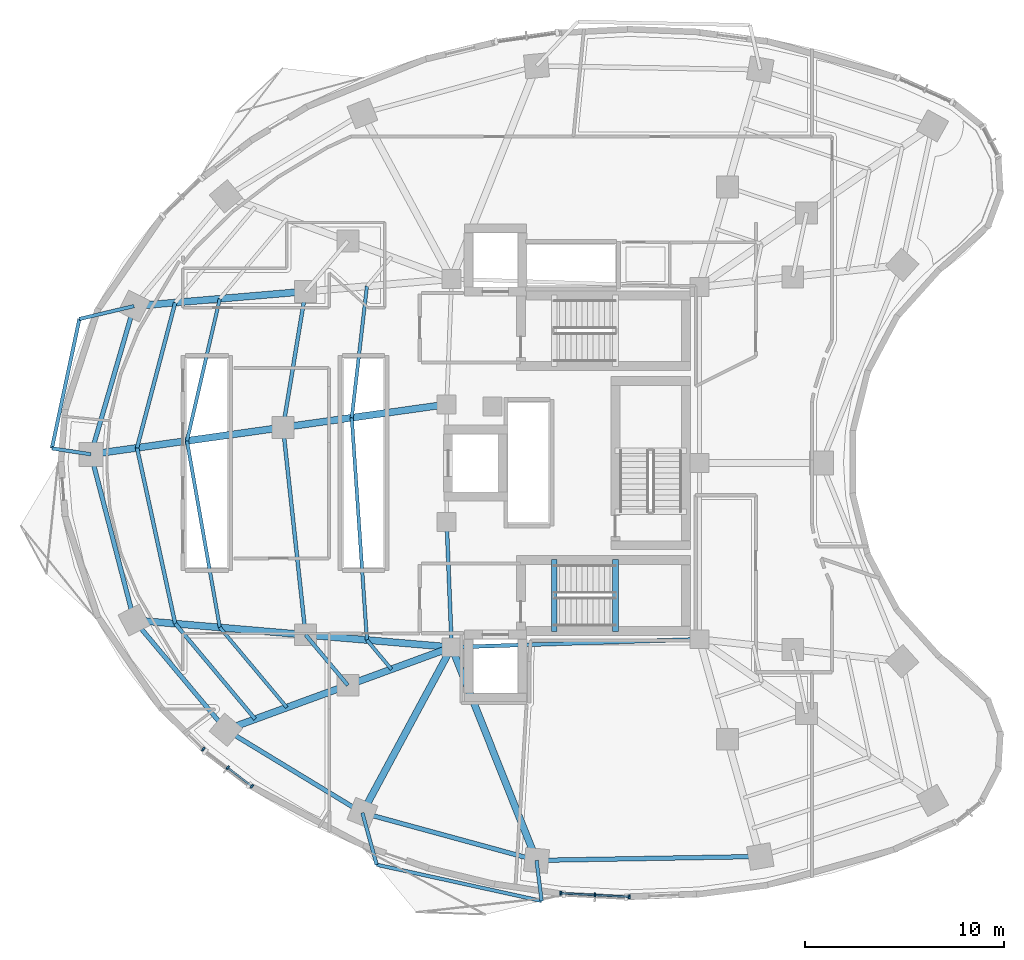
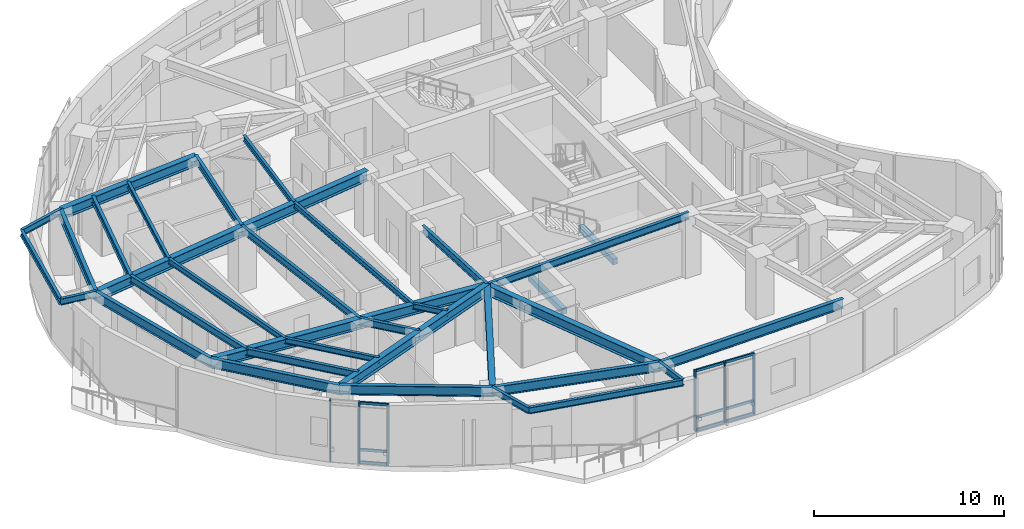
# One storey, part 2 of 13: 37 beams, 15 members, 2 elements without a shape of their own.
"""IFC4 building model written with IfcOpenShell, lengths in metres."""

import ifcopenshell
import ifcopenshell.guid

model = None  # the IFC model being written
_history = None  # IfcOwnerHistory: only IFC2X3 demands one
_inside = {}  # id of a spatial element -> (the spatial element, [elements in it])
_under = {}  # id of a project, library or spatial element -> (it, [spatial elements below it])
_declared = {}  # id of a project -> (the project, [libraries it declares])
_typed = {}  # id of a type object -> (the type object, [elements of that type])
_made_of = {}  # id of a material, layer set ... -> (it, [elements and type objects made of it])


def new_model(schema):
    """Start an empty IFC model of exactly this schema.

    Asked for "IFC4X3", IfcOpenShell would pick the latest addendum, in which some entities
    have other attributes; the version numbers below select the first issue.
    IFC2X3 requires an IfcOwnerHistory on every rooted entity: one is made here for all.
    """
    global model, _history
    if schema == "IFC4X3":
        model = ifcopenshell.file(schema_version=(4, 3, 0, 0))
    else:
        model = ifcopenshell.file(schema=schema)
    _inside.clear()
    _under.clear()
    _declared.clear()
    _typed.clear()
    _made_of.clear()
    _history = None
    if model.schema == "IFC2X3":
        org = make("IfcOrganization", Name="unknown")
        user = make(
            "IfcPersonAndOrganization",
            ThePerson=make("IfcPerson", FamilyName="unknown"),
            TheOrganization=org,
        )
        app = make(
            "IfcApplication",
            ApplicationDeveloper=org,
            Version="unknown",
            ApplicationFullName="unknown",
            ApplicationIdentifier="unknown",
        )
        _history = make(
            "IfcOwnerHistory",
            OwningUser=user,
            OwningApplication=app,
            ChangeAction="ADDED",
            CreationDate=0,
        )
    return model


def make(cls, **values):
    """One entity of the class cls with the attributes given. An attribute that is None is left unset."""
    return model.create_entity(
        cls, **{name: value for name, value in values.items() if value is not None}
    )


def rooted(cls, **values):
    """An entity with a GlobalId (a new one), such as an element, a storey or a relation."""
    return make(cls, GlobalId=ifcopenshell.guid.new(), OwnerHistory=_history, **values)


def si_unit(unit_type, name, prefix=None):
    """IfcSIUnit, for example si_unit("LENGTHUNIT", "METRE", prefix="MILLI")."""
    return make("IfcSIUnit", UnitType=unit_type, Prefix=prefix, Name=name)


def assignment(units):
    """IfcUnitAssignment: the units of a project."""
    return None if units is None else make("IfcUnitAssignment", Units=units)


def point(xyz):
    """IfcCartesianPoint."""
    return None if xyz is None else make("IfcCartesianPoint", Coordinates=xyz)


def direction(xyz):
    """IfcDirection."""
    return None if xyz is None else make("IfcDirection", DirectionRatios=xyz)


def frame(location, z_axis=None, x_axis=None):
    """IfcAxis2Placement3D, a coordinate frame: its origin and axes. An axis left out is left unset."""
    return make(
        "IfcAxis2Placement3D",
        Location=point(location),
        Axis=direction(z_axis),
        RefDirection=direction(x_axis),
    )


def frame_2d(location, x_axis=None):
    """IfcAxis2Placement2D, a coordinate frame in the plane: its origin and x axis."""
    return make(
        "IfcAxis2Placement2D", Location=point(location), RefDirection=direction(x_axis)
    )


def origin():
    """The frame at (0, 0, 0) with its axes left unset."""
    return frame((0.0, 0.0, 0.0))


def origin_2d():
    """The frame at (0, 0) in the plane with its x axis left unset."""
    return frame_2d((0.0, 0.0))


def place(relative_to, where):
    """IfcLocalPlacement: puts the frame where relative to a parent placement (None: the world)."""
    return make(
        "IfcLocalPlacement", PlacementRelTo=relative_to, RelativePlacement=where
    )


def context(
    kind, dimensions, precision=None, world=None, true_north=None, identifier=None
):
    """IfcGeometricRepresentationContext, for example the 3D "Model" context."""
    return make(
        "IfcGeometricRepresentationContext",
        ContextIdentifier=identifier,
        ContextType=kind,
        CoordinateSpaceDimension=dimensions,
        Precision=precision,
        WorldCoordinateSystem=world,
        TrueNorth=true_north,
    )


def subcontext(parent, identifier, kind, view, scale=None):
    """IfcGeometricRepresentationSubContext, for example "Body" below "Model"."""
    return make(
        "IfcGeometricRepresentationSubContext",
        ContextIdentifier=identifier,
        ContextType=kind,
        ParentContext=parent,
        TargetScale=scale,
        TargetView=view,
    )


def project(units=None, contexts=None):
    """IfcProject with its units and contexts."""
    return rooted(
        "IfcProject",
        Name="project",
        RepresentationContexts=contexts,
        UnitsInContext=assignment(units),
    )


def spatial(cls, under=None, at=None, **own):
    """A site, building, storey or space (cls), placed at a placement, below another one or the project."""
    s = rooted(cls, ObjectPlacement=at, **own)
    if under is not None:
        _under.setdefault(under.id(), (under, []))[1].append(s)
    return s


def profile(cls, at=None, kind="AREA", **sizes):
    """A parametric profile (cls). Its sizes go by their IFC names, for example OverallWidth=200.0."""
    return make(cls, ProfileType=kind, Position=at, **sizes)


def rectangle(**sizes):
    """IfcRectangleProfileDef."""
    return profile("IfcRectangleProfileDef", **sizes)


def i_section(**sizes):
    """IfcIShapeProfileDef."""
    return profile("IfcIShapeProfileDef", **sizes)


def extrude(swept, where, along, depth):
    """IfcExtrudedAreaSolid: the profile swept, set in the frame where, extruded along a direction by depth."""
    return make(
        "IfcExtrudedAreaSolid",
        SweptArea=swept,
        Position=where,
        ExtrudedDirection=direction(along),
        Depth=depth,
    )


def shape(context_of_items, identifier, shape_type, items):
    """IfcShapeRepresentation: the items that make up one representation, for example the "Body"."""
    return make(
        "IfcShapeRepresentation",
        ContextOfItems=context_of_items,
        RepresentationIdentifier=identifier,
        RepresentationType=shape_type,
        Items=items,
    )


def material(Name=None, Category=None):
    """IfcMaterial."""
    return make("IfcMaterial", Name=Name, Category=Category)


def layer(
    of_material, thickness, ventilated=None, Name=None, Category=None, Priority=None
):
    """IfcMaterialLayer: one layer of a wall or slab, of a material (None: an air gap)."""
    return make(
        "IfcMaterialLayer",
        Material=of_material,
        LayerThickness=thickness,
        IsVentilated=ventilated,
        Name=Name,
        Category=Category,
        Priority=Priority,
    )


def layer_set(layers, Name=None):
    """IfcMaterialLayerSet."""
    return make("IfcMaterialLayerSet", MaterialLayers=layers, LayerSetName=Name)


def material_profile(
    of_material, cross_section, Name=None, Category=None, Priority=None
):
    """IfcMaterialProfile: a cross section and its material."""
    return make(
        "IfcMaterialProfile",
        Name=Name,
        Material=of_material,
        Profile=cross_section,
        Priority=Priority,
        Category=Category,
    )


def profile_set(profiles, Name=None, composite=None):
    """IfcMaterialProfileSet."""
    return make(
        "IfcMaterialProfileSet",
        Name=Name,
        MaterialProfiles=profiles,
        CompositeProfile=composite,
    )


def made_of(thing, what):
    """Note that an element or type object is made of a material, layer set ...; save() writes the relation."""
    if what is not None:
        _made_of.setdefault(what.id(), (what, []))[1].append(thing)
    return thing


def type_object(cls, material=None, **own):
    """A type object (cls), such as IfcWallType, which elements share."""
    return made_of(rooted(cls, **own), material)


def element(
    cls,
    number,
    at=None,
    inside=None,
    cuts=None,
    type_object=None,
    material=None,
    context=None,
    identifier="Body",
    shape_type=None,
    held_by="IfcProductDefinitionShape",
    body=None,
    shapes=None,
    **own,
):
    """One element of the class cls, such as IfcWall. Its Tag is "e" and its number.

    at: its placement. inside: the storey or other place that contains it. cuts: it is an
    opening in that element (IfcRelVoidsElement). A single representation is given by context,
    identifier, shape_type and body (its items); several are given by shapes. held_by: the class
    of the entity that holds the representations. save() writes the other relations.
    """
    e = rooted(cls, Tag="e%d" % number, ObjectPlacement=at, **own)
    if body is not None:
        shapes = [shape(context, identifier, shape_type, body)]
    if shapes is not None:
        e.Representation = make(held_by, Representations=shapes)
    if inside is not None:
        _inside.setdefault(inside.id(), (inside, []))[1].append(e)
    if cuts is not None:
        rooted(
            "IfcRelVoidsElement", RelatingBuildingElement=cuts, RelatedOpeningElement=e
        )
    if type_object is not None:
        _typed.setdefault(type_object.id(), (type_object, []))[1].append(e)
    return made_of(e, material)


def aggregate(whole, parts):
    """IfcRelAggregates: a whole, such as a stair, and the parts it consists of."""
    return rooted("IfcRelAggregates", RelatingObject=whole, RelatedObjects=parts)


def save(model, path):
    """Write the relations noted so far, then the file.

    IfcRelAggregates (storeys below a building ...), IfcRelContainedInSpatialStructure (elements
    in a storey), IfcRelDefinesByType, IfcRelAssociatesMaterial and IfcRelDeclares: one each for
    every whole, place, type object, material and project.
    """
    for whole, parts in _under.values():
        aggregate(whole, parts)
    for where, things in _inside.values():
        rooted(
            "IfcRelContainedInSpatialStructure",
            RelatedElements=things,
            RelatingStructure=where,
        )
    for kind, things in _typed.values():
        rooted("IfcRelDefinesByType", RelatedObjects=things, RelatingType=kind)
    for what, things in _made_of.values():
        rooted("IfcRelAssociatesMaterial", RelatedObjects=things, RelatingMaterial=what)
    for by, libraries in _declared.values():
        rooted("IfcRelDeclares", RelatingContext=by, RelatedDefinitions=libraries)
    model.write(path)


model = new_model("IFC4")

# Units and contexts
model_context = context("Model", 3, precision=1e-05, world=origin(), true_north=direction((0.0, 1.0)))
body_context = subcontext(model_context, "Body", "Model", "MODEL_VIEW")
ifc_project = project(units=[si_unit("LENGTHUNIT", "METRE"), si_unit("AREAUNIT", "SQUARE_METRE"), si_unit("VOLUMEUNIT", "CUBIC_METRE"), si_unit("PLANEANGLEUNIT", "RADIAN"), si_unit("MASSUNIT", "GRAM", prefix="KILO")], contexts=[model_context])

# Site, building, storey
site_placement = place(None, origin())
site = spatial("IfcSite", under=ifc_project, at=site_placement, CompositionType="ELEMENT")
building_placement = place(site_placement, origin())
building = spatial("IfcBuilding", under=site, at=building_placement, Name="Korentha Bioscience Tower", CompositionType="ELEMENT")
storey_placement = place(building_placement, frame((0.0, 0.0, 140.39990234375)))
storey = spatial("IfcBuildingStorey", under=building, at=storey_placement, Name="L32", CompositionType="ELEMENT", Elevation=140.39990234375)

# Beams
ifc_material_1 = material(Name="Concrete C50", Category="concrete")
ifc_material_profile_1 = material_profile(ifc_material_1, rectangle(XDim=0.280029296875, YDim=0.3798828125, at=origin_2d()), Name="Concrete C50")
ifc_profile_set_1 = profile_set([ifc_material_profile_1], Name="Concrete C50 (ST-HB380)")
beam_type_1 = type_object("IfcBeamType", Name="Concrete Stair Header Beam RC 280x380", PredefinedType="BEAM", material=ifc_profile_set_1)
for number, where, z_axis, x_axis, name in (
    (1, (30.25, 18.550048828125, -0.18994140625), (0.0, 1.0, 0.0), (-1.0, 0.0, 0.0), "L32 ST-2 Concrete Stair Header Beam"),
    (2, (33.330078125, 18.550048828125, 1.91015625), (0.0, 1.0, 0.0), (-1.0, 0.0, 0.0), "L32 ST-2 Half-Landing Header Beam 1"),
):
    element("IfcBeam", number, at=place(storey_placement, frame(where, z_axis=z_axis, x_axis=x_axis)), inside=storey, type_object=beam_type_1, Name=name, PredefinedType="BEAM", context=body_context, shape_type="SweptSolid", body=[
        extrude(rectangle(XDim=0.280029296875, YDim=0.3798828125, at=origin_2d()), origin(), (0.0, 0.0, 1.0), 3.599853515625),
    ])
ifc_material_2 = material(Name="Steel S355", Category="steel")
ifc_material_profile_2 = material_profile(ifc_material_2, i_section(OverallWidth=0.18994140625, OverallDepth=0.45703125, WebThickness=0.009033203125, FlangeThickness=0.014404296875, at=origin_2d()), Name="Steel S355")
ifc_profile_set_2 = profile_set([ifc_material_profile_2], Name="Steel S355 (MB-460)")
beam_type_2 = type_object("IfcBeamType", Name="Mid-Ring Tie Girder W460x74", PredefinedType="BEAM", material=ifc_profile_set_2)
beam_1_placement = place(storey_placement, frame((17.75927734375, 35.6240234375, 3.671630859375), z_axis=(-0.163580878592, -0.986529926641, 0.0), x_axis=(0.986529926641, -0.163580878592, 0.0)))
element("IfcBeam", 3, at=beam_1_placement, inside=storey, type_object=beam_type_2, Name="L32 Mid-Ring Tie Girder 06", PredefinedType="BEAM", context=body_context, shape_type="SweptSolid", body=[
    extrude(i_section(OverallWidth=0.18994140625, OverallDepth=0.45703125, WebThickness=0.009033203125, FlangeThickness=0.014404296875, at=origin_2d()), origin(), (0.0, 0.0, 1.0), 6.920654296875),
])
beam_2_placement = place(storey_placement, frame((16.627197265625, 28.796630859375, 3.671630859375), z_axis=(0.108002632645, -0.994150607977, 0.0), x_axis=(0.994150607977, 0.108002632645, 0.0)))
element("IfcBeam", 4, at=beam_2_placement, inside=storey, type_object=beam_type_2, Name="L32 Mid-Ring Tie Girder 07", PredefinedType="BEAM", context=body_context, shape_type="SweptSolid", body=[
    extrude(i_section(OverallWidth=0.18994140625, OverallDepth=0.45703125, WebThickness=0.009033203125, FlangeThickness=0.014404296875, at=origin_2d()), origin(), (0.0, 0.0, 1.0), 10.48193359375),
])
beam_3_placement = place(storey_placement, frame((17.75927734375, 18.3759765625, 3.671630859375), z_axis=(0.642121371708, -0.766602989817, 0.0), x_axis=(0.766602989817, 0.642121371708, 0.0)))
element("IfcBeam", 5, at=beam_3_placement, inside=storey, type_object=beam_type_2, Name="L32 Mid-Ring Tie Girder 08", PredefinedType="BEAM", context=body_context, shape_type="SweptSolid", body=[
    extrude(i_section(OverallWidth=0.18994140625, OverallDepth=0.45703125, WebThickness=0.009033203125, FlangeThickness=0.014404296875, at=origin_2d()), origin(), (0.0, 0.0, 1.0), 3.306640625),
])
beam_4_placement = place(storey_placement, frame((24.85009765625, 24.050048828125, 3.671630859375), z_axis=(0.039651025576, -0.999213588864, 0.0), x_axis=(0.999213588864, 0.039651025576, 0.0)))
element("IfcBeam", 6, at=beam_4_placement, inside=storey, type_object=beam_type_2, Name="L32 Core Ring Tie Girder 04", PredefinedType="BEAM", context=body_context, shape_type="SweptSolid", body=[
    extrude(i_section(OverallWidth=0.18994140625, OverallDepth=0.45703125, WebThickness=0.009033203125, FlangeThickness=0.014404296875, at=origin_2d()), origin(), (0.0, 0.0, 1.0), 6.304931640625),
])
beam_5_placement = place(storey_placement, frame((25.10009765625, 17.75, 3.671630859375), z_axis=(0.999484526071, 0.032104238723, 0.0), x_axis=(-0.032104238723, 0.999484526071, 0.0)))
element("IfcBeam", 7, at=beam_5_placement, inside=storey, type_object=beam_type_2, Name="L32 Core Ring Tie Girder 05", PredefinedType="BEAM", context=body_context, shape_type="SweptSolid", body=[
    extrude(i_section(OverallWidth=0.18994140625, OverallDepth=0.45703125, WebThickness=0.009033203125, FlangeThickness=0.014404296875, at=origin_2d()), origin(), (0.0, 0.0, 1.0), 12.456298828125),
])

# Curtain wall, members
ifc_material_3 = material(Name="Thermally Broken Aluminium Frame", Category="aluminium")
ifc_layer = layer(ifc_material_3, 0.219970703125, Name="Thermally Broken Aluminium Frame")
ifc_layer_set = layer_set([ifc_layer], Name="Thermally Broken Aluminium Frame (CW-T2)")
curtain_wall_type = type_object("IfcCurtainWallType", Name="Solar-Screened Lab Unitised Curtain Wall CW-T2", PredefinedType="USERDEFINED", material=ifc_layer_set)
curtain_wall_1_placement = place(storey_placement, origin())
curtain_wall_1 = element("IfcCurtainWall", 8, at=curtain_wall_1_placement, inside=storey, type_object=curtain_wall_type, Name="L32 Curtain Wall 25", ObjectType="UNITISED", PredefinedType="USERDEFINED")
ifc_material_4 = material(Name="Anodised Aluminium 6063-T6", Category="aluminium")
ifc_material_profile_3 = material_profile(ifc_material_4, rectangle(XDim=0.090087890625, YDim=0.199951171875, at=origin_2d()), Name="Anodised Aluminium 6063-T6")
ifc_profile_set_3 = profile_set([ifc_material_profile_3], Name="Anodised Aluminium 6063-T6 (CW-MUL)")
member_type_1 = type_object("IfcMemberType", Name="Mullion RECT 90x200", PredefinedType="MULLION", material=ifc_profile_set_3)
member_1_placement = place(storey_placement, frame((12.624267578125, 12.62890625, 0.0), z_axis=(0.0, 0.0, 1.0), x_axis=(0.794499603893, -0.607264669986, 0.0)))
member_1 = element("IfcMember", 9, at=member_1_placement, type_object=member_type_1, Name="CW-L32-25 Mullion 1", PredefinedType="MULLION", context=body_context, shape_type="SweptSolid", body=[
    extrude(rectangle(XDim=0.090087890625, YDim=0.199951171875, at=origin_2d()), origin(), (0.0, 0.0, 1.0), 3.900146484375),
])
member_2_placement = place(storey_placement, frame((13.844970703125, 11.69580078125, 0.0), z_axis=(0.0, 0.0, 1.0), x_axis=(0.794499603893, -0.607264669986, 0.0)))
member_2 = element("IfcMember", 10, at=member_2_placement, type_object=member_type_1, Name="CW-L32-25 Mullion 2", PredefinedType="MULLION", context=body_context, shape_type="SweptSolid", body=[
    extrude(rectangle(XDim=0.090087890625, YDim=0.199951171875, at=origin_2d()), origin(), (0.0, 0.0, 1.0), 3.900146484375),
])
member_3_placement = place(storey_placement, frame((15.0654296875, 10.7626953125, 0.0), z_axis=(0.0, 0.0, 1.0), x_axis=(0.794499603893, -0.607264669986, 0.0)))
member_3 = element("IfcMember", 11, at=member_3_placement, type_object=member_type_1, Name="CW-L32-25 Mullion 3", PredefinedType="MULLION", context=body_context, shape_type="SweptSolid", body=[
    extrude(rectangle(XDim=0.090087890625, YDim=0.199951171875, at=origin_2d()), origin(), (0.0, 0.0, 1.0), 3.900146484375),
])

curtain_wall_2_placement = place(storey_placement, origin())
curtain_wall_2 = element("IfcCurtainWall", 12, at=curtain_wall_2_placement, inside=storey, type_object=curtain_wall_type, Name="L32 Curtain Wall 31", ObjectType="UNITISED", PredefinedType="USERDEFINED")
member_4_placement = place(storey_placement, frame((30.571533203125, 5.39111328125, 0.0), z_axis=(0.0, 0.0, 1.0), x_axis=(0.998673231344, -0.051495407527, 0.0)))
member_4 = element("IfcMember", 13, at=member_4_placement, type_object=member_type_1, Name="CW-L32-31 Mullion 1", PredefinedType="MULLION", context=body_context, shape_type="SweptSolid", body=[
    extrude(rectangle(XDim=0.090087890625, YDim=0.199951171875, at=origin_2d()), origin(), (0.0, 0.0, 1.0), 3.900146484375),
])
member_5_placement = place(storey_placement, frame((32.301025390625, 5.302001953125, 0.0), z_axis=(0.0, 0.0, 1.0), x_axis=(0.998673231344, -0.051495407527, 0.0)))
member_5 = element("IfcMember", 14, at=member_5_placement, type_object=member_type_1, Name="CW-L32-31 Mullion 2", PredefinedType="MULLION", context=body_context, shape_type="SweptSolid", body=[
    extrude(rectangle(XDim=0.090087890625, YDim=0.199951171875, at=origin_2d()), origin(), (0.0, 0.0, 1.0), 3.900146484375),
])
member_6_placement = place(storey_placement, frame((34.03076171875, 5.212646484375, 0.0), z_axis=(0.0, 0.0, 1.0), x_axis=(0.998673231344, -0.051495407527, 0.0)))
member_6 = element("IfcMember", 15, at=member_6_placement, type_object=member_type_1, Name="CW-L32-31 Mullion 3", PredefinedType="MULLION", context=body_context, shape_type="SweptSolid", body=[
    extrude(rectangle(XDim=0.090087890625, YDim=0.199951171875, at=origin_2d()), origin(), (0.0, 0.0, 1.0), 3.900146484375),
])

# Beams
ifc_material_profile_4 = material_profile(ifc_material_2, i_section(OverallWidth=0.22802734375, OverallDepth=0.60791015625, WebThickness=0.01123046875, FlangeThickness=0.017333984375, at=origin_2d()), Name="Steel S355")
ifc_profile_set_4 = profile_set([ifc_material_profile_4], Name="Steel S355 (SB-610)")
beam_type_3 = type_object("IfcBeamType", Name="Perimeter Ring Spandrel Girder W610x113", PredefinedType="SPANDREL", material=ifc_profile_set_4)
beam_6_placement = place(storey_placement, frame((9.141845703125, 34.889404296875, 3.59619140625), z_axis=(-0.279486251653, -0.960149694129, 0.0), x_axis=(0.960149694129, -0.279486251653, 0.0)))
element("IfcBeam", 16, at=beam_6_placement, inside=storey, type_object=beam_type_3, Name="L32 Perimeter Spandrel Girder 06", PredefinedType="SPANDREL", context=body_context, shape_type="SweptSolid", body=[
    extrude(i_section(OverallWidth=0.22802734375, OverallDepth=0.60791015625, WebThickness=0.01123046875, FlangeThickness=0.017333984375, at=origin_2d()), origin(), (0.0, 0.0, 1.0), 7.756103515625),
])
beam_7_placement = place(storey_placement, frame((6.97412109375, 27.4423828125, 3.59619140625), z_axis=(0.251792692694, -0.96778119423, 0.0), x_axis=(0.96778119423, 0.251792692694, 0.0)))
element("IfcBeam", 17, at=beam_7_placement, inside=storey, type_object=beam_type_3, Name="L32 Perimeter Spandrel Girder 07", PredefinedType="SPANDREL", context=body_context, shape_type="SweptSolid", body=[
    extrude(i_section(OverallWidth=0.22802734375, OverallDepth=0.60791015625, WebThickness=0.01123046875, FlangeThickness=0.017333984375, at=origin_2d()), origin(), (0.0, 0.0, 1.0), 8.609130859375),
])
beam_8_placement = place(storey_placement, frame((9.141845703125, 19.110595703125, 3.59619140625), z_axis=(0.642126556076, -0.76659864726, 0.0), x_axis=(0.76659864726, 0.642126556076, 0.0)))
element("IfcBeam", 18, at=beam_8_placement, inside=storey, type_object=beam_type_3, Name="L32 Perimeter Spandrel Girder 08", PredefinedType="SPANDREL", context=body_context, shape_type="SweptSolid", body=[
    extrude(i_section(OverallWidth=0.22802734375, OverallDepth=0.60791015625, WebThickness=0.01123046875, FlangeThickness=0.017333984375, at=origin_2d()), origin(), (0.0, 0.0, 1.0), 7.1884765625),
])
beam_9_placement = place(storey_placement, frame((13.7578125, 13.599853515625, 3.59619140625), z_axis=(0.854461040474, -0.51951547649, 0.0), x_axis=(0.51951547649, 0.854461040474, 0.0)))
element("IfcBeam", 19, at=beam_9_placement, inside=storey, type_object=beam_type_3, Name="L32 Perimeter Spandrel Girder 09", PredefinedType="SPANDREL", context=body_context, shape_type="SweptSolid", body=[
    extrude(i_section(OverallWidth=0.22802734375, OverallDepth=0.60791015625, WebThickness=0.01123046875, FlangeThickness=0.017333984375, at=origin_2d()), origin(), (0.0, 0.0, 1.0), 8.025146484375),
])
beam_10_placement = place(storey_placement, frame((20.614990234375, 9.4306640625, 3.59619140625), z_axis=(0.964659386444, -0.263500034431, 0.0), x_axis=(0.263500034431, 0.964659386444, 0.0)))
element("IfcBeam", 20, at=beam_10_placement, inside=storey, type_object=beam_type_3, Name="L32 Perimeter Spandrel Girder 10", PredefinedType="SPANDREL", context=body_context, shape_type="SweptSolid", body=[
    extrude(i_section(OverallWidth=0.22802734375, OverallDepth=0.60791015625, WebThickness=0.01123046875, FlangeThickness=0.017333984375, at=origin_2d()), origin(), (0.0, 0.0, 1.0), 9.06982421875),
])
beam_11_placement = place(storey_placement, frame((29.3642578125, 7.040771484375, 3.59619140625), z_axis=(0.999850566826, 0.017287105523, 0.0), x_axis=(-0.017287105523, 0.999850566826, 0.0)))
element("IfcBeam", 21, at=beam_11_placement, inside=storey, type_object=beam_type_3, Name="L32 Perimeter Spandrel Girder 11", PredefinedType="SPANDREL", context=body_context, shape_type="SweptSolid", body=[
    extrude(i_section(OverallWidth=0.22802734375, OverallDepth=0.60791015625, WebThickness=0.01123046875, FlangeThickness=0.017333984375, at=origin_2d()), origin(), (0.0, 0.0, 1.0), 11.24169921875),
])
ifc_material_profile_5 = material_profile(ifc_material_2, i_section(OverallWidth=0.18994140625, OverallDepth=0.45703125, WebThickness=0.009033203125, FlangeThickness=0.014404296875, at=origin_2d()), Name="Steel S355")
ifc_profile_set_5 = profile_set([ifc_material_profile_5], Name="Steel S355 (RB-460)")
beam_type_4 = type_object("IfcBeamType", Name="Radial Laboratory Beam W460x74", PredefinedType="BEAM", material=ifc_profile_set_5)
beam_12_placement = place(storey_placement, frame((11.2099609375, 35.065673828125, 3.671630859375), z_axis=(-0.254294231014, -0.967126901742, 0.0), x_axis=(0.967126901742, -0.254294231014, 0.0)))
element("IfcBeam", 22, at=beam_12_placement, inside=storey, type_object=beam_type_4, Name="L32 Secondary Floor Beam JSTO-06", PredefinedType="BEAM", context=body_context, shape_type="SweptSolid", body=[
    extrude(i_section(OverallWidth=0.18994140625, OverallDepth=0.45703125, WebThickness=0.009033203125, FlangeThickness=0.014404296875, at=origin_2d()), origin(), (0.0, 0.0, 1.0), 7.546142578125),
])
beam_13_placement = place(storey_placement, frame((9.291015625, 27.767578125, 3.671630859375), z_axis=(0.212289478944, -0.977206824132, 0.0), x_axis=(0.977206824132, 0.212289478944, 0.0)))
element("IfcBeam", 23, at=beam_13_placement, inside=storey, type_object=beam_type_4, Name="L32 Secondary Floor Beam JSTO-07", PredefinedType="BEAM", context=body_context, shape_type="SweptSolid", body=[
    extrude(i_section(OverallWidth=0.18994140625, OverallDepth=0.45703125, WebThickness=0.009033203125, FlangeThickness=0.014404296875, at=origin_2d()), origin(), (0.0, 0.0, 1.0), 9.039306640625),
])
beam_14_placement = place(storey_placement, frame((11.2099609375, 18.934326171875, 3.671630859375), z_axis=(0.642128156066, -0.766597307057, 0.0), x_axis=(0.766597307057, 0.642128156066, 0.0)))
element("IfcBeam", 24, at=beam_14_placement, inside=storey, type_object=beam_type_4, Name="L32 Secondary Floor Beam JSTO-08", PredefinedType="BEAM", context=body_context, shape_type="SweptSolid", body=[
    extrude(i_section(OverallWidth=0.18994140625, OverallDepth=0.45703125, WebThickness=0.009033203125, FlangeThickness=0.014404296875, at=origin_2d()), origin(), (0.0, 0.0, 1.0), 6.257080078125),
])
ifc_material_profile_6 = material_profile(ifc_material_2, i_section(OverallWidth=0.35009765625, OverallDepth=0.64990234375, WebThickness=0.01611328125, FlangeThickness=0.02490234375, at=origin_2d()), Name="Steel S355")
ifc_profile_set_6 = profile_set([ifc_material_profile_6], Name="Steel S355 (RB-650)")
beam_type_5 = type_object("IfcBeamType", Name="Radial Laboratory Girder CVS 650x208", PredefinedType="BEAM", material=ifc_profile_set_6)
beam_15_placement = place(storey_placement, frame((17.75927734375, 35.6240234375, 3.5751953125), z_axis=(-0.996386071548, -0.084939957767, 0.0), x_axis=(0.084939957767, -0.996386071548, 0.0)))
element("IfcBeam", 25, at=beam_15_placement, inside=storey, type_object=beam_type_5, Name="L32 Outer Radial Girder 06", PredefinedType="BEAM", context=body_context, shape_type="SweptSolid", body=[
    extrude(i_section(OverallWidth=0.35009765625, OverallDepth=0.64990234375, WebThickness=0.01611328125, FlangeThickness=0.02490234375, at=origin_2d()), origin(), (0.0, 0.0, 1.0), 8.648681640625),
])
beam_16_placement = place(storey_placement, frame((24.85009765625, 29.949951171875, 3.5751953125), z_axis=(-0.990306752817, -0.13889757134, 0.0), x_axis=(0.13889757134, -0.990306752817, 0.0)))
element("IfcBeam", 26, at=beam_16_placement, inside=storey, type_object=beam_type_5, Name="L32 Inner Radial Girder 07", PredefinedType="BEAM", context=body_context, shape_type="SweptSolid", body=[
    extrude(i_section(OverallWidth=0.35009765625, OverallDepth=0.64990234375, WebThickness=0.01611328125, FlangeThickness=0.02490234375, at=origin_2d()), origin(), (0.0, 0.0, 1.0), 8.303466796875),
])
beam_17_placement = place(storey_placement, frame((16.627197265625, 28.796630859375, 3.5751953125), z_axis=(-0.99030201931, -0.138931315944, 0.0), x_axis=(0.138931315944, -0.99030201931, 0.0)))
element("IfcBeam", 27, at=beam_17_placement, inside=storey, type_object=beam_type_5, Name="L32 Outer Radial Girder 07", PredefinedType="BEAM", context=body_context, shape_type="SweptSolid", body=[
    extrude(i_section(OverallWidth=0.35009765625, OverallDepth=0.64990234375, WebThickness=0.01611328125, FlangeThickness=0.02490234375, at=origin_2d()), origin(), (0.0, 0.0, 1.0), 9.74755859375),
])
beam_18_placement = place(storey_placement, frame((25.10009765625, 17.75, 3.5751953125), z_axis=(-0.996383934197, 0.084965026183, 0.0), x_axis=(-0.084965026183, -0.996383934197, 0.0)))
element("IfcBeam", 28, at=beam_18_placement, inside=storey, type_object=beam_type_5, Name="L32 Inner Radial Girder 08", PredefinedType="BEAM", context=body_context, shape_type="SweptSolid", body=[
    extrude(i_section(OverallWidth=0.35009765625, OverallDepth=0.64990234375, WebThickness=0.01611328125, FlangeThickness=0.02490234375, at=origin_2d()), origin(), (0.0, 0.0, 1.0), 7.367431640625),
])
beam_19_placement = place(storey_placement, frame((17.75927734375, 18.3759765625, 3.5751953125), z_axis=(-0.996386071548, 0.084939957767, 0.0), x_axis=(-0.084939957767, -0.996386071548, 0.0)))
element("IfcBeam", 29, at=beam_19_placement, inside=storey, type_object=beam_type_5, Name="L32 Outer Radial Girder 08", PredefinedType="BEAM", context=body_context, shape_type="SweptSolid", body=[
    extrude(i_section(OverallWidth=0.35009765625, OverallDepth=0.64990234375, WebThickness=0.01611328125, FlangeThickness=0.02490234375, at=origin_2d()), origin(), (0.0, 0.0, 1.0), 8.648681640625),
])
beam_20_placement = place(storey_placement, frame((25.10009765625, 17.75, 3.5751953125), z_axis=(-0.939118010396, -0.343594765022, 0.0), x_axis=(0.343594765022, -0.939118010396, 0.0)))
element("IfcBeam", 30, at=beam_20_placement, inside=storey, type_object=beam_type_5, Name="L32 Inner Radial Girder 09", PredefinedType="BEAM", context=body_context, shape_type="SweptSolid", body=[
    extrude(i_section(OverallWidth=0.35009765625, OverallDepth=0.64990234375, WebThickness=0.01611328125, FlangeThickness=0.02490234375, at=origin_2d()), origin(), (0.0, 0.0, 1.0), 5.5556640625),
])
beam_21_placement = place(storey_placement, frame((19.882568359375, 15.841064453125, 3.5751953125), z_axis=(-0.939100755225, -0.343641923425, 0.0), x_axis=(0.343641923425, -0.939100755225, 0.0)))
element("IfcBeam", 31, at=beam_21_placement, inside=storey, type_object=beam_type_5, Name="L32 Outer Radial Girder 09", PredefinedType="BEAM", context=body_context, shape_type="SweptSolid", body=[
    extrude(i_section(OverallWidth=0.35009765625, OverallDepth=0.64990234375, WebThickness=0.01611328125, FlangeThickness=0.02490234375, at=origin_2d()), origin(), (0.0, 0.0, 1.0), 6.52197265625),
])
beam_22_placement = place(storey_placement, frame((25.10009765625, 17.75, 3.5751953125), z_axis=(-0.474548018732, -0.880229616587, 0.0), x_axis=(0.880229616587, -0.474548018732, 0.0)))
element("IfcBeam", 32, at=beam_22_placement, inside=storey, type_object=beam_type_5, Name="L32 Radial Girder 10", PredefinedType="BEAM", context=body_context, shape_type="SweptSolid", body=[
    extrude(i_section(OverallWidth=0.35009765625, OverallDepth=0.64990234375, WebThickness=0.01611328125, FlangeThickness=0.02490234375, at=origin_2d()), origin(), (0.0, 0.0, 1.0), 9.451416015625),
])
beam_23_placement = place(storey_placement, frame((25.10009765625, 17.75, 3.5751953125), z_axis=(0.369929528493, -0.929059817207, 0.0), x_axis=(0.929059817207, 0.369929528493, 0.0)))
element("IfcBeam", 33, at=beam_23_placement, inside=storey, type_object=beam_type_5, Name="L32 Radial Girder 11", PredefinedType="BEAM", context=body_context, shape_type="SweptSolid", body=[
    extrude(i_section(OverallWidth=0.35009765625, OverallDepth=0.64990234375, WebThickness=0.01611328125, FlangeThickness=0.02490234375, at=origin_2d()), origin(), (0.0, 0.0, 1.0), 11.52685546875),
])
ifc_material_profile_7 = material_profile(ifc_material_2, i_section(OverallWidth=0.1708984375, OverallDepth=0.35498046875, WebThickness=0.007080078125, FlangeThickness=0.01171875, at=origin_2d()), Name="Steel S355")
ifc_profile_set_7 = profile_set([ifc_material_profile_7], Name="Steel S355 (JB-360)")
beam_type_6 = type_object("IfcBeamType", Name="Secondary Laboratory Joist W360x51", PredefinedType="JOIST", material=ifc_profile_set_7)
beam_24_placement = place(storey_placement, frame((13.450439453125, 35.256591796875, 3.72265625), z_axis=(-0.225236780605, -0.974304055551, 0.0), x_axis=(0.974304055551, -0.225236780605, 0.0)))
element("IfcBeam", 34, at=beam_24_placement, inside=storey, type_object=beam_type_6, Name="L32 Secondary Floor Beam JST-06", PredefinedType="JOIST", context=body_context, shape_type="SweptSolid", body=[
    extrude(i_section(OverallWidth=0.1708984375, OverallDepth=0.35498046875, WebThickness=0.007080078125, FlangeThickness=0.01171875, at=origin_2d()), origin(), (0.0, 0.0, 1.0), 7.3251953125),
])
beam_25_placement = place(storey_placement, frame((20.84228515625, 35.886962890625, 3.72265625), z_axis=(-0.114512623722, -0.993421793101, 0.0), x_axis=(0.993421793101, -0.114512623722, 0.0)))
element("IfcBeam", 35, at=beam_25_placement, inside=storey, type_object=beam_type_6, Name="L32 Inner Bay Joist 06", PredefinedType="JOIST", context=body_context, shape_type="SweptSolid", body=[
    extrude(i_section(OverallWidth=0.1708984375, OverallDepth=0.35498046875, WebThickness=0.007080078125, FlangeThickness=0.01171875, at=origin_2d()), origin(), (0.0, 0.0, 1.0), 6.649658203125),
])
beam_26_placement = place(storey_placement, frame((11.800537109375, 28.11962890625, 3.72265625), z_axis=(0.173304009699, -0.984868377105, 0.0), x_axis=(0.984868377105, 0.173304009699, 0.0)))
element("IfcBeam", 36, at=beam_26_placement, inside=storey, type_object=beam_type_6, Name="L32 Secondary Floor Beam JST-07", PredefinedType="JOIST", context=body_context, shape_type="SweptSolid", body=[
    extrude(i_section(OverallWidth=0.1708984375, OverallDepth=0.35498046875, WebThickness=0.007080078125, FlangeThickness=0.01171875, at=origin_2d()), origin(), (0.0, 0.0, 1.0), 9.520263671875),
])
beam_27_placement = place(storey_placement, frame((20.080810546875, 29.281005859375, 3.72265625), z_axis=(0.068025861704, -0.997683558118, 0.0), x_axis=(0.997683558118, 0.068025861704, 0.0)))
element("IfcBeam", 37, at=beam_27_placement, inside=storey, type_object=beam_type_6, Name="L32 Inner Bay Joist 07", PredefinedType="JOIST", context=body_context, shape_type="SweptSolid", body=[
    extrude(i_section(OverallWidth=0.1708984375, OverallDepth=0.35498046875, WebThickness=0.007080078125, FlangeThickness=0.01171875, at=origin_2d()), origin(), (0.0, 0.0, 1.0), 11.19384765625),
])
beam_28_placement = place(storey_placement, frame((13.450439453125, 18.743408203125, 3.72265625), z_axis=(0.642140812018, -0.76658670582, 0.0), x_axis=(0.76658670582, 0.642140812018, 0.0)))
element("IfcBeam", 38, at=beam_28_placement, inside=storey, type_object=beam_type_6, Name="L32 Secondary Floor Beam JST-08", PredefinedType="JOIST", context=body_context, shape_type="SweptSolid", body=[
    extrude(i_section(OverallWidth=0.1708984375, OverallDepth=0.35498046875, WebThickness=0.007080078125, FlangeThickness=0.01171875, at=origin_2d()), origin(), (0.0, 0.0, 1.0), 5.247802734375),
])
beam_29_placement = place(storey_placement, frame((20.84228515625, 18.113037109375, 3.72265625), z_axis=(0.64218549873, -0.766549271229, 0.0), x_axis=(0.766549271229, 0.64218549873, 0.0)))
element("IfcBeam", 39, at=beam_29_placement, inside=storey, type_object=beam_type_6, Name="L32 Inner Bay Joist 08", PredefinedType="JOIST", context=body_context, shape_type="SweptSolid", body=[
    extrude(i_section(OverallWidth=0.1708984375, OverallDepth=0.35498046875, WebThickness=0.007080078125, FlangeThickness=0.01171875, at=origin_2d()), origin(), (0.0, 0.0, 1.0), 1.91796875),
])
ifc_material_profile_8 = material_profile(ifc_material_2, i_section(OverallWidth=0.177978515625, OverallDepth=0.406982421875, WebThickness=0.0078125, FlangeThickness=0.0126953125, at=origin_2d()), Name="Steel S355")
ifc_profile_set_8 = profile_set([ifc_material_profile_8], Name="Steel S355 (CB-410)")
beam_type_7 = type_object("IfcBeamType", Name="Sun-Ledge Cantilever Beam W410x60", PredefinedType="BEAM", material=ifc_profile_set_8)
beam_30_placement = place(storey_placement, frame((9.141845703125, 34.889404296875, 3.698486328125), z_axis=(-0.973303545012, -0.229521696725, 0.0), x_axis=(0.229521696725, -0.973303545012, 0.0)))
element("IfcBeam", 40, at=beam_30_placement, inside=storey, type_object=beam_type_7, Name="L32 Balcony Cantilever Bracket A-L33-02", PredefinedType="BEAM", context=body_context, shape_type="SweptSolid", body=[
    extrude(i_section(OverallWidth=0.177978515625, OverallDepth=0.406982421875, WebThickness=0.0078125, FlangeThickness=0.0126953125, at=origin_2d()), origin(), (0.0, 0.0, 1.0), 2.82080078125),
])
beam_31_placement = place(storey_placement, frame((6.97412109375, 27.4423828125, 3.698486328125), z_axis=(-0.988449844693, 0.151548357058, 0.0), x_axis=(-0.151548357058, -0.988449844693, 0.0)))
element("IfcBeam", 41, at=beam_31_placement, inside=storey, type_object=beam_type_7, Name="L32 Balcony Cantilever Bracket B-L33-02", PredefinedType="BEAM", context=body_context, shape_type="SweptSolid", body=[
    extrude(i_section(OverallWidth=0.177978515625, OverallDepth=0.406982421875, WebThickness=0.0078125, FlangeThickness=0.0126953125, at=origin_2d()), origin(), (0.0, 0.0, 1.0), 1.983154296875),
])
beam_32_placement = place(storey_placement, frame((6.396240234375, 34.241943359375, 3.698486328125), z_axis=(-0.208043322496, -0.978119612299, 0.0), x_axis=(0.978119612299, -0.208043322496, 0.0)))
element("IfcBeam", 42, at=beam_32_placement, inside=storey, type_object=beam_type_7, Name="L32 Balcony Edge Trimmer Beam L33-02", PredefinedType="BEAM", context=body_context, shape_type="SweptSolid", body=[
    extrude(i_section(OverallWidth=0.177978515625, OverallDepth=0.406982421875, WebThickness=0.0078125, FlangeThickness=0.0126953125, at=origin_2d()), origin(), (0.0, 0.0, 1.0), 6.644287109375),
])
beam_33_placement = place(storey_placement, frame((20.614990234375, 9.4306640625, 3.698486328125), z_axis=(0.26487511254, -0.964282725531, 0.0), x_axis=(0.964282725531, 0.26487511254, 0.0)))
element("IfcBeam", 43, at=beam_33_placement, inside=storey, type_object=beam_type_7, Name="L32 Balcony Cantilever Bracket A-L33-03", PredefinedType="BEAM", context=body_context, shape_type="SweptSolid", body=[
    extrude(i_section(OverallWidth=0.177978515625, OverallDepth=0.406982421875, WebThickness=0.0078125, FlangeThickness=0.0126953125, at=origin_2d()), origin(), (0.0, 0.0, 1.0), 2.702392578125),
])
beam_34_placement = place(storey_placement, frame((29.3642578125, 7.040771484375, 3.698486328125), z_axis=(0.124078617268, -0.992272390393, 0.0), x_axis=(0.992272390393, 0.124078617268, 0.0)))
element("IfcBeam", 44, at=beam_34_placement, inside=storey, type_object=beam_type_7, Name="L32 Balcony Cantilever Bracket B-L33-03", PredefinedType="BEAM", context=body_context, shape_type="SweptSolid", body=[
    extrude(i_section(OverallWidth=0.177978515625, OverallDepth=0.406982421875, WebThickness=0.0078125, FlangeThickness=0.0126953125, at=origin_2d()), origin(), (0.0, 0.0, 1.0), 2.05419921875),
])
beam_35_placement = place(storey_placement, frame((21.330810546875, 6.82470703125, 3.698486328125), z_axis=(0.976673314546, -0.21473061415, 0.0), x_axis=(0.21473061415, 0.976673314546, 0.0)))
element("IfcBeam", 45, at=beam_35_placement, inside=storey, type_object=beam_type_7, Name="L32 Balcony Edge Trimmer Beam L33-03", PredefinedType="BEAM", context=body_context, shape_type="SweptSolid", body=[
    extrude(i_section(OverallWidth=0.177978515625, OverallDepth=0.406982421875, WebThickness=0.0078125, FlangeThickness=0.0126953125, at=origin_2d()), origin(), (0.0, 0.0, 1.0), 8.486328125),
])

# Member
ifc_material_profile_9 = material_profile(ifc_material_4, rectangle(XDim=0.090087890625, YDim=0.159912109375, at=origin_2d()), Name="Anodised Aluminium 6063-T6")
ifc_profile_set_9 = profile_set([ifc_material_profile_9], Name="Anodised Aluminium 6063-T6 (CW-TRN)")
member_type_2 = type_object("IfcMemberType", Name="Transom RECT 90x160", PredefinedType="USERDEFINED", material=ifc_profile_set_9)
member_7_placement = place(storey_placement, frame((13.880615234375, 11.66845703125, 0.045166015625), z_axis=(0.794477589546, -0.607293470828, 0.0), x_axis=(0.607293470828, 0.794477589546, 0.0)))
member_7 = element("IfcMember", 46, at=member_7_placement, type_object=member_type_2, Name="CW-L32-25 Bay 2 Transom 1", ObjectType="TRANSOM", PredefinedType="USERDEFINED", context=body_context, shape_type="SweptSolid", body=[
    extrude(rectangle(XDim=0.090087890625, YDim=0.159912109375, at=origin_2d()), origin(), (0.0, 0.0, 1.0), 1.446533203125),
])

member_8_placement = place(storey_placement, frame((13.880615234375, 11.66845703125, 0.85009765625), z_axis=(0.794477589546, -0.607293470828, 0.0), x_axis=(0.607293470828, 0.794477589546, 0.0)))
member_8 = element("IfcMember", 47, at=member_8_placement, type_object=member_type_2, Name="CW-L32-25 Bay 2 Transom 2", ObjectType="TRANSOM", PredefinedType="USERDEFINED", context=body_context, shape_type="SweptSolid", body=[
    extrude(rectangle(XDim=0.090087890625, YDim=0.159912109375, at=origin_2d()), origin(), (0.0, 0.0, 1.0), 1.446533203125),
])

member_9_placement = place(storey_placement, frame((13.880615234375, 11.66845703125, 3.85498046875), z_axis=(0.794477589546, -0.607293470828, 0.0), x_axis=(0.607293470828, 0.794477589546, 0.0)))
member_9 = element("IfcMember", 48, at=member_9_placement, type_object=member_type_2, Name="CW-L32-25 Bay 2 Transom 3", ObjectType="TRANSOM", PredefinedType="USERDEFINED", context=body_context, shape_type="SweptSolid", body=[
    extrude(rectangle(XDim=0.090087890625, YDim=0.159912109375, at=origin_2d()), origin(), (0.0, 0.0, 1.0), 1.446533203125),
])

aggregate(curtain_wall_1, [member_1, member_2, member_3, member_7, member_8, member_9])

member_10_placement = place(storey_placement, frame((30.616455078125, 5.388916015625, 0.045166015625), z_axis=(0.998667892989, -0.05159883247, 0.0), x_axis=(0.05159883247, 0.998667892989, 0.0)))
member_10 = element("IfcMember", 49, at=member_10_placement, type_object=member_type_2, Name="CW-L32-31 Bay 1 Transom 1", ObjectType="TRANSOM", PredefinedType="USERDEFINED", context=body_context, shape_type="SweptSolid", body=[
    extrude(rectangle(XDim=0.090087890625, YDim=0.159912109375, at=origin_2d()), origin(), (0.0, 0.0, 1.0), 1.641845703125),
])

member_11_placement = place(storey_placement, frame((30.616455078125, 5.388916015625, 0.85009765625), z_axis=(0.998667892989, -0.05159883247, 0.0), x_axis=(0.05159883247, 0.998667892989, 0.0)))
member_11 = element("IfcMember", 50, at=member_11_placement, type_object=member_type_2, Name="CW-L32-31 Bay 1 Transom 2", ObjectType="TRANSOM", PredefinedType="USERDEFINED", context=body_context, shape_type="SweptSolid", body=[
    extrude(rectangle(XDim=0.090087890625, YDim=0.159912109375, at=origin_2d()), origin(), (0.0, 0.0, 1.0), 1.641845703125),
])

member_12_placement = place(storey_placement, frame((30.616455078125, 5.388916015625, 3.85498046875), z_axis=(0.998667892989, -0.05159883247, 0.0), x_axis=(0.05159883247, 0.998667892989, 0.0)))
member_12 = element("IfcMember", 51, at=member_12_placement, type_object=member_type_2, Name="CW-L32-31 Bay 1 Transom 3", ObjectType="TRANSOM", PredefinedType="USERDEFINED", context=body_context, shape_type="SweptSolid", body=[
    extrude(rectangle(XDim=0.090087890625, YDim=0.159912109375, at=origin_2d()), origin(), (0.0, 0.0, 1.0), 1.641845703125),
])

member_13_placement = place(storey_placement, frame((32.345947265625, 5.299560546875, 0.045166015625), z_axis=(0.998675544552, -0.051450526863, 0.0), x_axis=(0.051450526863, 0.998675544552, 0.0)))
member_13 = element("IfcMember", 52, at=member_13_placement, type_object=member_type_2, Name="CW-L32-31 Bay 2 Transom 1", ObjectType="TRANSOM", PredefinedType="USERDEFINED", context=body_context, shape_type="SweptSolid", body=[
    extrude(rectangle(XDim=0.090087890625, YDim=0.159912109375, at=origin_2d()), origin(), (0.0, 0.0, 1.0), 1.641845703125),
])

member_14_placement = place(storey_placement, frame((32.345947265625, 5.299560546875, 0.85009765625), z_axis=(0.998675544552, -0.051450526863, 0.0), x_axis=(0.051450526863, 0.998675544552, 0.0)))
member_14 = element("IfcMember", 53, at=member_14_placement, type_object=member_type_2, Name="CW-L32-31 Bay 2 Transom 2", ObjectType="TRANSOM", PredefinedType="USERDEFINED", context=body_context, shape_type="SweptSolid", body=[
    extrude(rectangle(XDim=0.090087890625, YDim=0.159912109375, at=origin_2d()), origin(), (0.0, 0.0, 1.0), 1.641845703125),
])

member_15_placement = place(storey_placement, frame((32.345947265625, 5.299560546875, 3.85498046875), z_axis=(0.998675544552, -0.051450526863, 0.0), x_axis=(0.051450526863, 0.998675544552, 0.0)))
member_15 = element("IfcMember", 54, at=member_15_placement, type_object=member_type_2, Name="CW-L32-31 Bay 2 Transom 3", ObjectType="TRANSOM", PredefinedType="USERDEFINED", context=body_context, shape_type="SweptSolid", body=[
    extrude(rectangle(XDim=0.090087890625, YDim=0.159912109375, at=origin_2d()), origin(), (0.0, 0.0, 1.0), 1.641845703125),
])

aggregate(curtain_wall_2, [member_4, member_5, member_6, member_10, member_11, member_12, member_13, member_14, member_15])

save(model, "model.ifc")
